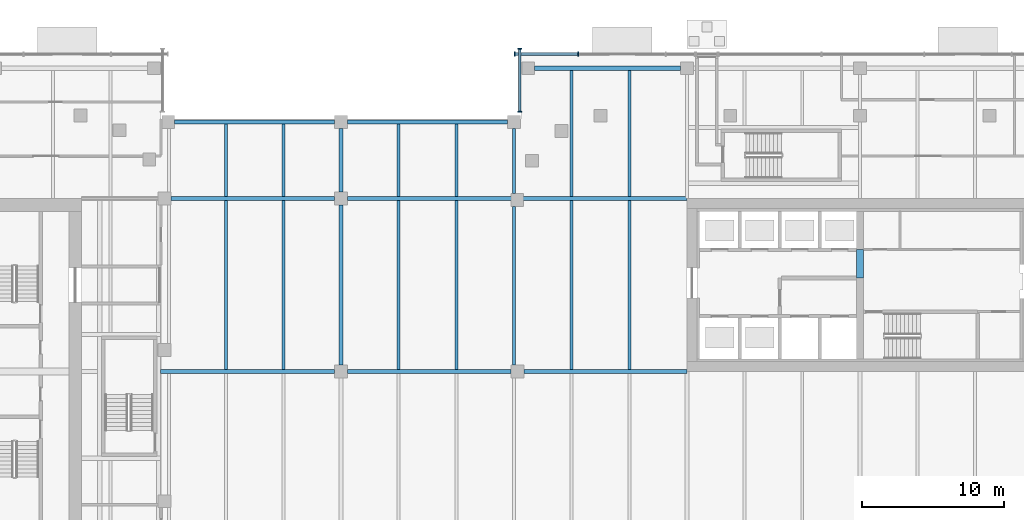
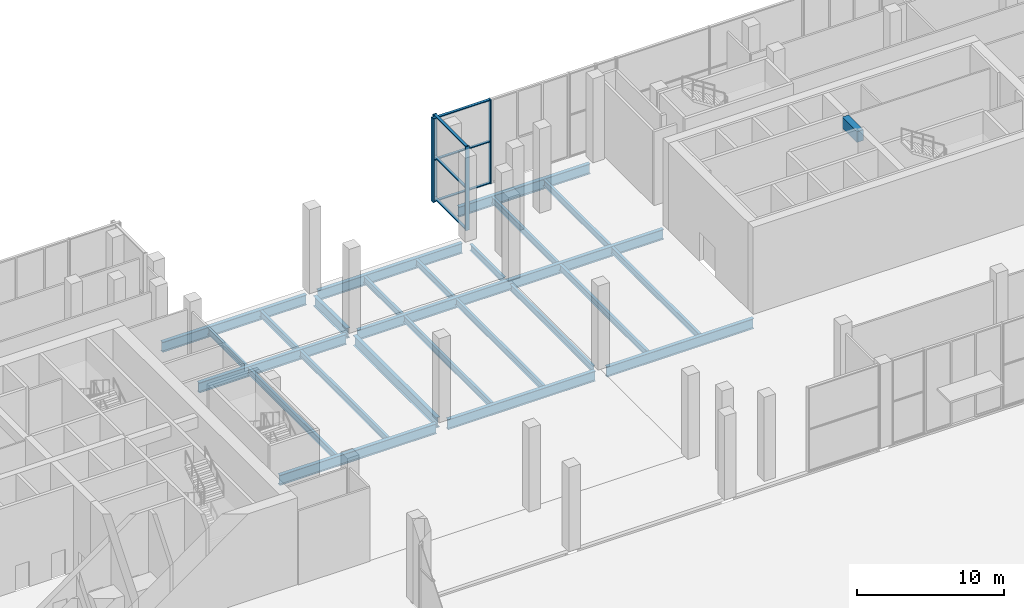
# One storey, part 7 of 36: 25 beams, 10 members, 2 elements without a shape of their own.
"""IFC4 building model written with IfcOpenShell, lengths in metres."""

from ifc_helpers import new_model, si_unit, direction, frame, origin, origin_2d, place, context, subcontext, project, spatial, rectangle, i_section, extrude, material, material_profile, profile_set, type_object, element, aggregate, save


model = new_model("IFC4")

# Units and contexts
model_context = context("Model", 3, precision=1e-05, world=origin(), true_north=direction((0.0, 1.0)))
body_context = subcontext(model_context, "Body", "Model", "MODEL_VIEW")
ifc_project = project(units=[si_unit("LENGTHUNIT", "METRE"), si_unit("AREAUNIT", "SQUARE_METRE"), si_unit("VOLUMEUNIT", "CUBIC_METRE"), si_unit("PLANEANGLEUNIT", "RADIAN"), si_unit("MASSUNIT", "GRAM", prefix="KILO")], contexts=[model_context])

# Site, building, storey
site_placement = place(None, origin())
site = spatial("IfcSite", under=ifc_project, at=site_placement, CompositionType="ELEMENT")
building_placement = place(site_placement, origin())
building = spatial("IfcBuilding", under=site, at=building_placement, Name="Tessera Gate Towers", CompositionType="ELEMENT")
storey_placement = place(building_placement, origin())
storey = spatial("IfcBuildingStorey", under=building, at=storey_placement, Name="L00", CompositionType="ELEMENT", Elevation=0.0)

# Beams
ifc_material_1 = material(Name="Concrete C60/75", Category="concrete")
ifc_material_profile_1 = material_profile(ifc_material_1, rectangle(XDim=0.5, YDim=0.89990234375, at=origin_2d()), Name="RC 500x900")
ifc_profile_set_1 = profile_set([ifc_material_profile_1], Name="Concrete C60/75")
beam_type_1 = type_object("IfcBeamType", Name="COUPLING BEAM 500x900 C60/75", PredefinedType="BEAM", material=ifc_profile_set_1)
beam_1_placement = place(storey_placement, frame((109.800048828125, 43.199951171875, 6.5), z_axis=(0.0, 1.0, 0.0), x_axis=(-1.0, 0.0, 0.0)))
element("IfcBeam", 1, at=beam_1_placement, inside=storey, type_object=beam_type_1, Name="L00 coupling beam 1", PredefinedType="BEAM", context=body_context, shape_type="SweptSolid", body=[
    extrude(rectangle(XDim=0.5, YDim=0.89990234375, at=origin_2d()), origin(), (0.0, 0.0, 1.0), 2.0),
])
ifc_material_2 = material(Name="Steel 350W", Category="steel")
ifc_material_profile_2 = material_profile(ifc_material_2, i_section(OverallWidth=0.2919921875, OverallDepth=0.8349609375, WebThickness=0.013916015625, FlangeThickness=0.018798828125, at=origin_2d()), Name="W840x176")
ifc_profile_set_2 = profile_set([ifc_material_profile_2], Name="Steel 350W")
beam_type_2 = type_object("IfcBeamType", Name="FLOOR GIRDER W840x176", PredefinedType="BEAM", material=ifc_profile_set_2)
for number, where, z_axis, x_axis, name in (
    (2, (61.449951171875, 54.199951171875, -0.66748046875), (1.0, 0.0, 0.0), (0.0, 1.0, 0.0), "PD-GD-L00-8"),
    (3, (73.64990234375, 54.199951171875, -0.66748046875), (1.0, 0.0, 0.0), (0.0, 1.0, 0.0), "PD-GD-L00-9"),
):
    element("IfcBeam", number, at=place(storey_placement, frame(where, z_axis=z_axis, x_axis=x_axis)), inside=storey, type_object=beam_type_2, Name=name, PredefinedType="BEAM", context=body_context, shape_type="SweptSolid", body=[
        extrude(i_section(OverallWidth=0.2919921875, OverallDepth=0.8349609375, WebThickness=0.013916015625, FlangeThickness=0.018798828125, at=origin_2d()), origin(), (0.0, 0.0, 1.0), 11.300048828125),
    ])
beam_2_placement = place(storey_placement, frame((60.466064453125, 36.60009765625, -0.66748046875), z_axis=(1.0, 0.0, 0.0), x_axis=(0.0, 1.0, 0.0)))
element("IfcBeam", 4, at=beam_2_placement, inside=storey, type_object=beam_type_2, Name="PD-GD-L00-27", PredefinedType="BEAM", context=body_context, shape_type="SweptSolid", body=[
    extrude(i_section(OverallWidth=0.2919921875, OverallDepth=0.8349609375, WebThickness=0.013916015625, FlangeThickness=0.018798828125, at=origin_2d()), origin(), (0.0, 0.0, 1.0), 12.283935546875),
])
beam_3_placement = place(storey_placement, frame((73.64990234375, 36.60009765625, -0.66748046875), z_axis=(1.0, 0.0, 0.0), x_axis=(0.0, 1.0, 0.0)))
element("IfcBeam", 5, at=beam_3_placement, inside=storey, type_object=beam_type_2, Name="PD-GD-L00-28", PredefinedType="BEAM", context=body_context, shape_type="SweptSolid", body=[
    extrude(i_section(OverallWidth=0.2919921875, OverallDepth=0.8349609375, WebThickness=0.013916015625, FlangeThickness=0.018798828125, at=origin_2d()), origin(), (0.0, 0.0, 1.0), 11.550048828125),
])
beam_4_placement = place(storey_placement, frame((86.10009765625, 36.60009765625, -0.66748046875), z_axis=(1.0, 0.0, 0.0), x_axis=(0.0, 1.0, 0.0)))
element("IfcBeam", 6, at=beam_4_placement, inside=storey, type_object=beam_type_2, Name="PD-GD-L00-29", PredefinedType="BEAM", context=body_context, shape_type="SweptSolid", body=[
    extrude(i_section(OverallWidth=0.2919921875, OverallDepth=0.8349609375, WebThickness=0.013916015625, FlangeThickness=0.018798828125, at=origin_2d()), origin(), (0.0, 0.0, 1.0), 11.4990234375),
])
beam_5_placement = place(storey_placement, frame((61.199951171875, 48.800048828125, -0.66748046875), z_axis=(1.0, 0.0, 0.0), x_axis=(0.0, 1.0, 0.0)))
element("IfcBeam", 7, at=beam_5_placement, inside=storey, type_object=beam_type_2, Name="PD-GD-L00-36", PredefinedType="BEAM", context=body_context, shape_type="SweptSolid", body=[
    extrude(i_section(OverallWidth=0.2919921875, OverallDepth=0.8349609375, WebThickness=0.013916015625, FlangeThickness=0.018798828125, at=origin_2d()), origin(), (0.0, 0.0, 1.0), 11.550048828125),
])
beam_6_placement = place(storey_placement, frame((73.64990234375, 48.800048828125, -0.66748046875), z_axis=(1.0, 0.0, 0.0), x_axis=(0.0, 1.0, 0.0)))
element("IfcBeam", 8, at=beam_6_placement, inside=storey, type_object=beam_type_2, Name="PD-GD-L00-37", PredefinedType="BEAM", context=body_context, shape_type="SweptSolid", body=[
    extrude(i_section(OverallWidth=0.2919921875, OverallDepth=0.8349609375, WebThickness=0.013916015625, FlangeThickness=0.018798828125, at=origin_2d()), origin(), (0.0, 0.0, 1.0), 23.94921875),
])
beam_7_placement = place(storey_placement, frame((86.85009765625, 58.0, -0.66748046875), z_axis=(1.0, 0.0, 0.0), x_axis=(0.0, 1.0, 0.0)))
element("IfcBeam", 9, at=beam_7_placement, inside=storey, type_object=beam_type_2, Name="PD-GD-L00-45", PredefinedType="BEAM", context=body_context, shape_type="SweptSolid", body=[
    extrude(i_section(OverallWidth=0.2919921875, OverallDepth=0.8349609375, WebThickness=0.013916015625, FlangeThickness=0.018798828125, at=origin_2d()), origin(), (0.0, 0.0, 1.0), 10.2998046875),
])
beam_8_placement = place(storey_placement, frame((73.199951171875, 37.050048828125, -0.66748046875), z_axis=(0.0, 1.0, 0.0), x_axis=(-1.0, 0.0, 0.0)))
element("IfcBeam", 10, at=beam_8_placement, inside=storey, type_object=beam_type_2, Name="PD-GD-L00-63", PredefinedType="BEAM", context=body_context, shape_type="SweptSolid", body=[
    extrude(i_section(OverallWidth=0.2919921875, OverallDepth=0.8349609375, WebThickness=0.013916015625, FlangeThickness=0.018798828125, at=origin_2d()), origin(), (0.0, 0.0, 1.0), 11.300048828125),
])
beam_9_placement = place(storey_placement, frame((73.199951171875, 49.25, -0.66748046875), z_axis=(0.0, 1.0, 0.0), x_axis=(-1.0, 0.0, 0.0)))
element("IfcBeam", 11, at=beam_9_placement, inside=storey, type_object=beam_type_2, Name="PD-GD-L00-64", PredefinedType="BEAM", context=body_context, shape_type="SweptSolid", body=[
    extrude(i_section(OverallWidth=0.2919921875, OverallDepth=0.8349609375, WebThickness=0.013916015625, FlangeThickness=0.018798828125, at=origin_2d()), origin(), (0.0, 0.0, 1.0), 4.5),
])
ifc_material_3 = material(Name="Steel 350W", Category="steel")
ifc_material_profile_3 = material_profile(ifc_material_3, i_section(OverallWidth=0.208984375, OverallDepth=0.528076171875, WebThickness=0.009521484375, FlangeThickness=0.01318359375, at=origin_2d()), Name="W530x82")
ifc_profile_set_3 = profile_set([ifc_material_profile_3], Name="Steel 350W")
beam_type_3 = type_object("IfcBeamType", Name="FLOOR SECONDARY W530x82", PredefinedType="BEAM", material=ifc_profile_set_3)
beam_10_placement = place(storey_placement, frame((65.066650390625, 36.74609375, -0.513916015625), z_axis=(0.0, 1.0, 0.0), x_axis=(-1.0, 0.0, 0.0)))
element("IfcBeam", 12, at=beam_10_placement, inside=storey, type_object=beam_type_3, Name="PD-BM-L00-134", PredefinedType="BEAM", context=body_context, shape_type="SweptSolid", body=[
    extrude(i_section(OverallWidth=0.208984375, OverallDepth=0.528076171875, WebThickness=0.009521484375, FlangeThickness=0.01318359375, at=origin_2d()), origin(), (0.0, 0.0, 1.0), 11.907958984375),
])
beam_11_placement = place(storey_placement, frame((65.066650390625, 48.946044921875, -0.513916015625), z_axis=(0.0, 1.0, 0.0), x_axis=(-1.0, 0.0, 0.0)))
element("IfcBeam", 13, at=beam_11_placement, inside=storey, type_object=beam_type_3, Name="PD-BM-L00-135", PredefinedType="BEAM", context=body_context, shape_type="SweptSolid", body=[
    extrude(i_section(OverallWidth=0.208984375, OverallDepth=0.528076171875, WebThickness=0.009521484375, FlangeThickness=0.01318359375, at=origin_2d()), origin(), (0.0, 0.0, 1.0), 5.10791015625),
])
beam_12_placement = place(storey_placement, frame((69.13330078125, 36.74609375, -0.513916015625), z_axis=(0.0, 1.0, 0.0), x_axis=(-1.0, 0.0, 0.0)))
element("IfcBeam", 14, at=beam_12_placement, inside=storey, type_object=beam_type_3, Name="PD-BM-L00-138", PredefinedType="BEAM", context=body_context, shape_type="SweptSolid", body=[
    extrude(i_section(OverallWidth=0.208984375, OverallDepth=0.528076171875, WebThickness=0.009521484375, FlangeThickness=0.01318359375, at=origin_2d()), origin(), (0.0, 0.0, 1.0), 11.907958984375),
])
beam_13_placement = place(storey_placement, frame((69.13330078125, 48.946044921875, -0.513916015625), z_axis=(0.0, 1.0, 0.0), x_axis=(-1.0, 0.0, 0.0)))
element("IfcBeam", 15, at=beam_13_placement, inside=storey, type_object=beam_type_3, Name="PD-BM-L00-139", PredefinedType="BEAM", context=body_context, shape_type="SweptSolid", body=[
    extrude(i_section(OverallWidth=0.208984375, OverallDepth=0.528076171875, WebThickness=0.009521484375, FlangeThickness=0.01318359375, at=origin_2d()), origin(), (0.0, 0.0, 1.0), 5.10791015625),
])
beam_14_placement = place(storey_placement, frame((77.2666015625, 36.74609375, -0.513916015625), z_axis=(0.0, 1.0, 0.0), x_axis=(-1.0, 0.0, 0.0)))
element("IfcBeam", 16, at=beam_14_placement, inside=storey, type_object=beam_type_3, Name="PD-BM-L00-142", PredefinedType="BEAM", context=body_context, shape_type="SweptSolid", body=[
    extrude(i_section(OverallWidth=0.208984375, OverallDepth=0.528076171875, WebThickness=0.009521484375, FlangeThickness=0.01318359375, at=origin_2d()), origin(), (0.0, 0.0, 1.0), 11.907958984375),
])
beam_15_placement = place(storey_placement, frame((77.2666015625, 48.946044921875, -0.513916015625), z_axis=(0.0, 1.0, 0.0), x_axis=(-1.0, 0.0, 0.0)))
element("IfcBeam", 17, at=beam_15_placement, inside=storey, type_object=beam_type_3, Name="PD-BM-L00-143", PredefinedType="BEAM", context=body_context, shape_type="SweptSolid", body=[
    extrude(i_section(OverallWidth=0.208984375, OverallDepth=0.528076171875, WebThickness=0.009521484375, FlangeThickness=0.01318359375, at=origin_2d()), origin(), (0.0, 0.0, 1.0), 5.10791015625),
])
beam_16_placement = place(storey_placement, frame((81.333251953125, 36.74609375, -0.513916015625), z_axis=(0.0, 1.0, 0.0), x_axis=(-1.0, 0.0, 0.0)))
element("IfcBeam", 18, at=beam_16_placement, inside=storey, type_object=beam_type_3, Name="PD-BM-L00-146", PredefinedType="BEAM", context=body_context, shape_type="SweptSolid", body=[
    extrude(i_section(OverallWidth=0.208984375, OverallDepth=0.528076171875, WebThickness=0.009521484375, FlangeThickness=0.01318359375, at=origin_2d()), origin(), (0.0, 0.0, 1.0), 11.907958984375),
])
beam_17_placement = place(storey_placement, frame((81.333251953125, 48.946044921875, -0.513916015625), z_axis=(0.0, 1.0, 0.0), x_axis=(-1.0, 0.0, 0.0)))
element("IfcBeam", 19, at=beam_17_placement, inside=storey, type_object=beam_type_3, Name="PD-BM-L00-147", PredefinedType="BEAM", context=body_context, shape_type="SweptSolid", body=[
    extrude(i_section(OverallWidth=0.208984375, OverallDepth=0.528076171875, WebThickness=0.009521484375, FlangeThickness=0.01318359375, at=origin_2d()), origin(), (0.0, 0.0, 1.0), 5.10791015625),
])
beam_18_placement = place(storey_placement, frame((85.39990234375, 37.050048828125, -0.513916015625), z_axis=(0.0, 1.0, 0.0), x_axis=(-1.0, 0.0, 0.0)))
element("IfcBeam", 20, at=beam_18_placement, inside=storey, type_object=beam_type_3, Name="PD-BM-L00-150", PredefinedType="BEAM", context=body_context, shape_type="SweptSolid", body=[
    extrude(i_section(OverallWidth=0.208984375, OverallDepth=0.528076171875, WebThickness=0.009521484375, FlangeThickness=0.01318359375, at=origin_2d()), origin(), (0.0, 0.0, 1.0), 11.2099609375),
])
beam_19_placement = place(storey_placement, frame((85.39990234375, 49.159912109375, -0.513916015625), z_axis=(0.0, 1.0, 0.0), x_axis=(-1.0, 0.0, 0.0)))
element("IfcBeam", 21, at=beam_19_placement, inside=storey, type_object=beam_type_3, Name="PD-BM-L00-151", PredefinedType="BEAM", context=body_context, shape_type="SweptSolid", body=[
    extrude(i_section(OverallWidth=0.208984375, OverallDepth=0.528076171875, WebThickness=0.009521484375, FlangeThickness=0.01318359375, at=origin_2d()), origin(), (0.0, 0.0, 1.0), 4.590087890625),
])
beam_20_placement = place(storey_placement, frame((89.466796875, 36.74609375, -0.513916015625), z_axis=(0.0, 1.0, 0.0), x_axis=(-1.0, 0.0, 0.0)))
element("IfcBeam", 22, at=beam_20_placement, inside=storey, type_object=beam_type_3, Name="PD-BM-L00-154", PredefinedType="BEAM", context=body_context, shape_type="SweptSolid", body=[
    extrude(i_section(OverallWidth=0.208984375, OverallDepth=0.528076171875, WebThickness=0.009521484375, FlangeThickness=0.01318359375, at=origin_2d()), origin(), (0.0, 0.0, 1.0), 11.907958984375),
])
beam_21_placement = place(storey_placement, frame((89.466796875, 48.946044921875, -0.513916015625), z_axis=(0.0, 1.0, 0.0), x_axis=(-1.0, 0.0, 0.0)))
element("IfcBeam", 23, at=beam_21_placement, inside=storey, type_object=beam_type_3, Name="PD-BM-L00-155", PredefinedType="BEAM", context=body_context, shape_type="SweptSolid", body=[
    extrude(i_section(OverallWidth=0.208984375, OverallDepth=0.528076171875, WebThickness=0.009521484375, FlangeThickness=0.01318359375, at=origin_2d()), origin(), (0.0, 0.0, 1.0), 8.907958984375),
])
beam_22_placement = place(storey_placement, frame((93.533203125, 36.74609375, -0.513916015625), z_axis=(0.0, 1.0, 0.0), x_axis=(-1.0, 0.0, 0.0)))
element("IfcBeam", 24, at=beam_22_placement, inside=storey, type_object=beam_type_3, Name="PD-BM-L00-158", PredefinedType="BEAM", context=body_context, shape_type="SweptSolid", body=[
    extrude(i_section(OverallWidth=0.208984375, OverallDepth=0.528076171875, WebThickness=0.009521484375, FlangeThickness=0.01318359375, at=origin_2d()), origin(), (0.0, 0.0, 1.0), 11.907958984375),
])
beam_23_placement = place(storey_placement, frame((93.533203125, 48.946044921875, -0.513916015625), z_axis=(0.0, 1.0, 0.0), x_axis=(-1.0, 0.0, 0.0)))
element("IfcBeam", 25, at=beam_23_placement, inside=storey, type_object=beam_type_3, Name="PD-BM-L00-159", PredefinedType="BEAM", context=body_context, shape_type="SweptSolid", body=[
    extrude(i_section(OverallWidth=0.208984375, OverallDepth=0.528076171875, WebThickness=0.009521484375, FlangeThickness=0.01318359375, at=origin_2d()), origin(), (0.0, 0.0, 1.0), 8.907958984375),
])

# Curtain wall, members
ifc_material_4 = material(Name="Aluminium frame", Category="aluminium")
curtain_wall_type = type_object("IfcCurtainWallType", Name="CW-S6 ground floor glazing", PredefinedType="NOTDEFINED", material=ifc_material_4)
curtain_wall_1_placement = place(storey_placement, origin())
curtain_wall_1 = element("IfcCurtainWall", 26, at=curtain_wall_1_placement, inside=storey, type_object=curtain_wall_type, Name="Curtain wall ground floor glazing 0191", PredefinedType="NOTDEFINED")
ifc_material_5 = material(Name="Aluminium frame", Category="aluminium")
ifc_material_profile_4 = material_profile(ifc_material_5, rectangle(XDim=0.080078125, YDim=0.300048828125, at=origin_2d()), Name="AL 80x300")
ifc_profile_set_4 = profile_set([ifc_material_profile_4], Name="Aluminium frame")
member_type_1 = type_object("IfcMemberType", Name="MU-S6 mullion 80x300", PredefinedType="MULLION", material=ifc_profile_set_4)
member_1_placement = place(storey_placement, frame((89.93505859375, 59.0, 0.0), z_axis=(0.0, 0.0, 1.0), x_axis=(-1.0, 0.0, 0.0)))
member_1 = element("IfcMember", 27, at=member_1_placement, type_object=member_type_1, Name="PD-CW6-0191 mullion 1", PredefinedType="MULLION", context=body_context, shape_type="SweptSolid", body=[
    extrude(rectangle(XDim=0.080078125, YDim=0.300048828125, at=origin_2d()), origin(), (0.0, 0.0, 1.0), 6.949951171875),
])
member_2_placement = place(storey_placement, frame((85.43994140625, 59.0, 0.0), z_axis=(0.0, 0.0, 1.0), x_axis=(-1.0, 0.0, 0.0)))
member_2 = element("IfcMember", 28, at=member_2_placement, type_object=member_type_1, Name="PD-CW6-0191 mullion 2", PredefinedType="MULLION", context=body_context, shape_type="SweptSolid", body=[
    extrude(rectangle(XDim=0.080078125, YDim=0.300048828125, at=origin_2d()), origin(), (0.0, 0.0, 1.0), 6.949951171875),
])

curtain_wall_2_placement = place(storey_placement, origin())
curtain_wall_2 = element("IfcCurtainWall", 29, at=curtain_wall_2_placement, inside=storey, type_object=curtain_wall_type, Name="Curtain wall ground floor glazing 0194", PredefinedType="NOTDEFINED")
member_3_placement = place(storey_placement, frame((85.800048828125, 59.360107421875, 0.0), z_axis=(0.0, 0.0, 1.0), x_axis=(0.0, -1.0, 0.0)))
member_3 = element("IfcMember", 30, at=member_3_placement, type_object=member_type_1, Name="PD-CW6-0194 mullion 1", PredefinedType="MULLION", context=body_context, shape_type="SweptSolid", body=[
    extrude(rectangle(XDim=0.080078125, YDim=0.300048828125, at=origin_2d()), origin(), (0.0, 0.0, 1.0), 6.949951171875),
])
member_4_placement = place(storey_placement, frame((85.800048828125, 54.93994140625, 0.0), z_axis=(0.0, 0.0, 1.0), x_axis=(0.0, -1.0, 0.0)))
member_4 = element("IfcMember", 31, at=member_4_placement, type_object=member_type_1, Name="PD-CW6-0194 mullion 2", PredefinedType="MULLION", context=body_context, shape_type="SweptSolid", body=[
    extrude(rectangle(XDim=0.080078125, YDim=0.300048828125, at=origin_2d()), origin(), (0.0, 0.0, 1.0), 6.949951171875),
])

# Member
ifc_material_6 = material(Name="Aluminium frame", Category="aluminium")
ifc_material_profile_5 = material_profile(ifc_material_6, rectangle(XDim=0.199951171875, YDim=0.080078125, at=origin_2d()), Name="AL 80x200")
ifc_profile_set_5 = profile_set([ifc_material_profile_5], Name="Aluminium frame")
member_type_2 = type_object("IfcMemberType", Name="TR-S6 transom 80x200", PredefinedType="USERDEFINED", material=ifc_profile_set_5)
member_5_placement = place(storey_placement, frame((89.89501953125, 59.0, 0.0400390625), z_axis=(-1.0, 0.0, 0.0), x_axis=(0.0, -1.0, 0.0)))
member_5 = element("IfcMember", 32, at=member_5_placement, type_object=member_type_2, Name="PD-CW6-0191 transom 1.1", ObjectType="TRANSOM", PredefinedType="USERDEFINED", context=body_context, shape_type="SweptSolid", body=[
    extrude(rectangle(XDim=0.199951171875, YDim=0.080078125, at=origin_2d()), origin(), (0.0, 0.0, 1.0), 4.4150390625),
])

member_6_placement = place(storey_placement, frame((89.89501953125, 59.0, 3.47509765625), z_axis=(-1.0, 0.0, 0.0), x_axis=(0.0, -1.0, 0.0)))
member_6 = element("IfcMember", 33, at=member_6_placement, type_object=member_type_2, Name="PD-CW6-0191 transom 1.2", ObjectType="TRANSOM", PredefinedType="USERDEFINED", context=body_context, shape_type="SweptSolid", body=[
    extrude(rectangle(XDim=0.199951171875, YDim=0.080078125, at=origin_2d()), origin(), (0.0, 0.0, 1.0), 4.4150390625),
])

member_7_placement = place(storey_placement, frame((89.89501953125, 59.0, 6.909912109375), z_axis=(-1.0, 0.0, 0.0), x_axis=(0.0, -1.0, 0.0)))
member_7 = element("IfcMember", 34, at=member_7_placement, type_object=member_type_2, Name="PD-CW6-0191 transom 1.3", ObjectType="TRANSOM", PredefinedType="USERDEFINED", context=body_context, shape_type="SweptSolid", body=[
    extrude(rectangle(XDim=0.199951171875, YDim=0.080078125, at=origin_2d()), origin(), (0.0, 0.0, 1.0), 4.4150390625),
])

aggregate(curtain_wall_1, [member_1, member_2, member_5, member_6, member_7])

member_8_placement = place(storey_placement, frame((85.800048828125, 59.320068359375, 0.0400390625), z_axis=(0.0, -1.0, 0.0), x_axis=(1.0, 0.0, 0.0)))
member_8 = element("IfcMember", 35, at=member_8_placement, type_object=member_type_2, Name="PD-CW6-0194 transom 1.1", ObjectType="TRANSOM", PredefinedType="USERDEFINED", context=body_context, shape_type="SweptSolid", body=[
    extrude(rectangle(XDim=0.199951171875, YDim=0.080078125, at=origin_2d()), origin(), (0.0, 0.0, 1.0), 4.340087890625),
])

member_9_placement = place(storey_placement, frame((85.800048828125, 59.320068359375, 3.47509765625), z_axis=(0.0, -1.0, 0.0), x_axis=(1.0, 0.0, 0.0)))
member_9 = element("IfcMember", 36, at=member_9_placement, type_object=member_type_2, Name="PD-CW6-0194 transom 1.2", ObjectType="TRANSOM", PredefinedType="USERDEFINED", context=body_context, shape_type="SweptSolid", body=[
    extrude(rectangle(XDim=0.199951171875, YDim=0.080078125, at=origin_2d()), origin(), (0.0, 0.0, 1.0), 4.340087890625),
])

member_10_placement = place(storey_placement, frame((85.800048828125, 59.320068359375, 6.909912109375), z_axis=(0.0, -1.0, 0.0), x_axis=(1.0, 0.0, 0.0)))
member_10 = element("IfcMember", 37, at=member_10_placement, type_object=member_type_2, Name="PD-CW6-0194 transom 1.3", ObjectType="TRANSOM", PredefinedType="USERDEFINED", context=body_context, shape_type="SweptSolid", body=[
    extrude(rectangle(XDim=0.199951171875, YDim=0.080078125, at=origin_2d()), origin(), (0.0, 0.0, 1.0), 4.340087890625),
])

aggregate(curtain_wall_2, [member_3, member_4, member_8, member_9, member_10])

save(model, "model.ifc")
